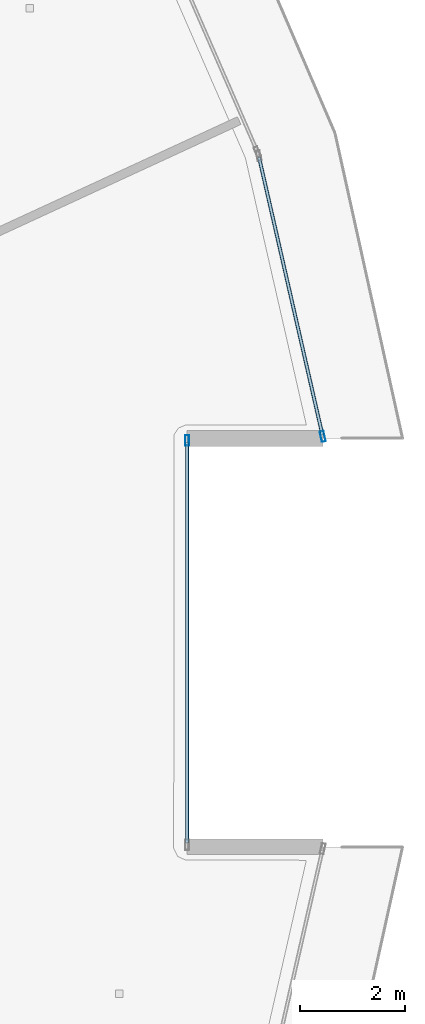
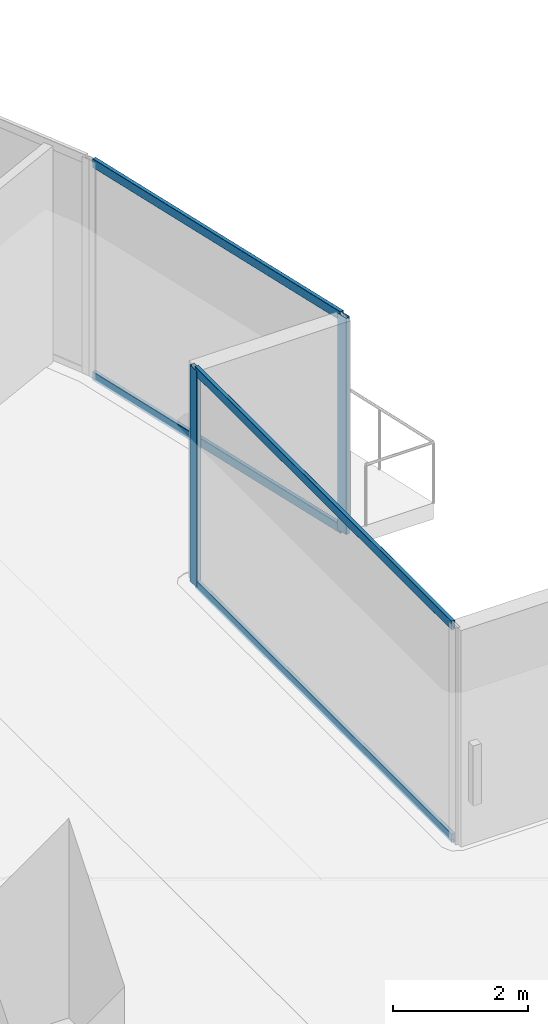
# One storey, part 10 of 31: 6 members, 2 elements without a shape of their own.
"""IFC4 building model written with IfcOpenShell, lengths in metres."""

from ifc_helpers import new_model, si_unit, direction, frame, origin, origin_2d, place, context, subcontext, project, spatial, hollow_rectangle, extrude, material, layer, layer_set, material_profile, profile_set, type_object, element, aggregate, save


model = new_model("IFC4")

# Units and contexts
model_context = context("Model", 3, precision=1e-05, world=origin(), true_north=direction((0.0, 1.0)))
body_context = subcontext(model_context, "Body", "Model", "MODEL_VIEW")
ifc_project = project(units=[si_unit("LENGTHUNIT", "METRE"), si_unit("AREAUNIT", "SQUARE_METRE"), si_unit("VOLUMEUNIT", "CUBIC_METRE"), si_unit("PLANEANGLEUNIT", "RADIAN"), si_unit("MASSUNIT", "GRAM", prefix="KILO")], contexts=[model_context])

# Site, building, storey
site_placement = place(None, origin())
site = spatial("IfcSite", under=ifc_project, at=site_placement, CompositionType="ELEMENT")
building_placement = place(site_placement, origin())
building = spatial("IfcBuilding", under=site, at=building_placement, Name="Qorvath Tower", CompositionType="ELEMENT")
storey_placement = place(building_placement, frame((0.0, 0.0, 259.800048828125)))
storey = spatial("IfcBuildingStorey", under=building, at=storey_placement, Name="L60", CompositionType="ELEMENT", Elevation=259.800048828125)

# Curtain wall, member
ifc_material_1 = material(Name="Anodised aluminium and triple low-E glass", Category="aluminium")
ifc_layer = layer(ifc_material_1, 0.179931640625)
ifc_layer_set = layer_set([ifc_layer], Name="CW-SYS-4")
curtain_wall_type = type_object("IfcCurtainWallType", Name="CW-SYS-4", PredefinedType="NOTDEFINED", material=ifc_layer_set)
curtain_wall_1_placement = place(storey_placement, origin())
curtain_wall_1 = element("IfcCurtainWall", 1, at=curtain_wall_1_placement, inside=storey, type_object=curtain_wall_type, Name="Curtain Wall CW-4 CW-T-L60-9.1", PredefinedType="NOTDEFINED")
ifc_material_2 = material(Name="Anodised aluminium 6063-T6", Category="aluminium")
ifc_material_profile_1 = material_profile(ifc_material_2, hollow_rectangle(XDim=0.074951171875, YDim=0.199951171875, WallThickness=0.00390625, InnerFilletRadius=0.00390625, OuterFilletRadius=0.008056640625, at=origin_2d()), Name="CWM 200x75")
ifc_profile_set_1 = profile_set([ifc_material_profile_1], Name="Anodised aluminium 6063-T6")
member_type_1 = type_object("IfcMemberType", Name="CWM-200", PredefinedType="MULLION", material=ifc_profile_set_1)
member_1_placement = place(storey_placement, frame((-4.0478515625, 3.834228515625, 0.0), z_axis=(0.0, 0.0, 1.0), x_axis=(-1.0, 0.0, 0.0)))
member_1 = element("IfcMember", 2, at=member_1_placement, type_object=member_type_1, Name="CW-4 mullion 2", PredefinedType="MULLION", context=body_context, shape_type="SweptSolid", body=[
    extrude(hollow_rectangle(XDim=0.074951171875, YDim=0.199951171875, WallThickness=0.00390625, InnerFilletRadius=0.00390625, OuterFilletRadius=0.008056640625, at=origin_2d()), origin(), (0.0, 0.0, 1.0), 3.909912109375),
])

curtain_wall_2_placement = place(storey_placement, origin())
curtain_wall_2 = element("IfcCurtainWall", 3, at=curtain_wall_2_placement, inside=storey, type_object=curtain_wall_type, Name="Curtain Wall CW-4 CW-T-L60-11.1", PredefinedType="NOTDEFINED")
member_2_placement = place(storey_placement, frame((-1.47509765625, 3.908447265625, 0.0), z_axis=(0.0, 0.0, 1.0), x_axis=(-0.97494194825, -0.22245942898, 0.0)))
member_2 = element("IfcMember", 4, at=member_2_placement, type_object=member_type_1, Name="CW-4 mullion 1", PredefinedType="MULLION", context=body_context, shape_type="SweptSolid", body=[
    extrude(hollow_rectangle(XDim=0.074951171875, YDim=0.199951171875, WallThickness=0.00390625, InnerFilletRadius=0.00390625, OuterFilletRadius=0.008056640625, at=origin_2d()), origin(), (0.0, 0.0, 1.0), 3.909912109375),
])

# Member
ifc_material_3 = material(Name="Anodised aluminium 6063-T6", Category="aluminium")
ifc_material_profile_2 = material_profile(ifc_material_3, hollow_rectangle(XDim=0.06494140625, YDim=0.159912109375, WallThickness=0.00341796875, InnerFilletRadius=0.00341796875, OuterFilletRadius=0.007080078125, at=origin_2d()), Name="CWT 160x65")
ifc_profile_set_2 = profile_set([ifc_material_profile_2], Name="Anodised aluminium 6063-T6")
member_type_2 = type_object("IfcMemberType", Name="CWT-160", PredefinedType="USERDEFINED", material=ifc_profile_set_2)
member_3_placement = place(storey_placement, frame((-4.0478515625, -3.796875, 0.032470703125), z_axis=(0.0, 1.0, 0.0), x_axis=(-1.0, 0.0, 0.0)))
member_3 = element("IfcMember", 5, at=member_3_placement, type_object=member_type_2, Name="CW-4 transom 1.1", ObjectType="TRANSOM", PredefinedType="USERDEFINED", context=body_context, shape_type="SweptSolid", body=[
    extrude(hollow_rectangle(XDim=0.06494140625, YDim=0.159912109375, WallThickness=0.00341796875, InnerFilletRadius=0.00341796875, OuterFilletRadius=0.007080078125, at=origin_2d()), origin(), (0.0, 0.0, 1.0), 7.59375),
])

member_4_placement = place(storey_placement, frame((-4.0478515625, -3.796875, 3.87744140625), z_axis=(0.0, 1.0, 0.0), x_axis=(-1.0, 0.0, 0.0)))
member_4 = element("IfcMember", 6, at=member_4_placement, type_object=member_type_2, Name="CW-4 transom 1.2", ObjectType="TRANSOM", PredefinedType="USERDEFINED", context=body_context, shape_type="SweptSolid", body=[
    extrude(hollow_rectangle(XDim=0.06494140625, YDim=0.159912109375, WallThickness=0.00341796875, InnerFilletRadius=0.00341796875, OuterFilletRadius=0.007080078125, at=origin_2d()), origin(), (0.0, 0.0, 1.0), 7.59375),
])

aggregate(curtain_wall_1, [member_1, member_3, member_4])

member_5_placement = place(storey_placement, frame((-1.4833984375, 3.94482421875, 0.032470703125), z_axis=(-0.222478993506, 0.974937483867, 0.0), x_axis=(-0.974937483867, -0.222478993506, 0.0)))
member_5 = element("IfcMember", 7, at=member_5_placement, type_object=member_type_2, Name="CW-4 transom 1.1", ObjectType="TRANSOM", PredefinedType="USERDEFINED", context=body_context, shape_type="SweptSolid", body=[
    extrude(hollow_rectangle(XDim=0.06494140625, YDim=0.159912109375, WallThickness=0.00341796875, InnerFilletRadius=0.00341796875, OuterFilletRadius=0.007080078125, at=origin_2d()), origin(), (0.0, 0.0, 1.0), 5.386962890625),
])

member_6_placement = place(storey_placement, frame((-1.4833984375, 3.94482421875, 3.87744140625), z_axis=(-0.222478993506, 0.974937483867, 0.0), x_axis=(-0.974937483867, -0.222478993506, 0.0)))
member_6 = element("IfcMember", 8, at=member_6_placement, type_object=member_type_2, Name="CW-4 transom 1.2", ObjectType="TRANSOM", PredefinedType="USERDEFINED", context=body_context, shape_type="SweptSolid", body=[
    extrude(hollow_rectangle(XDim=0.06494140625, YDim=0.159912109375, WallThickness=0.00341796875, InnerFilletRadius=0.00341796875, OuterFilletRadius=0.007080078125, at=origin_2d()), origin(), (0.0, 0.0, 1.0), 5.386962890625),
])

aggregate(curtain_wall_2, [member_2, member_5, member_6])

save(model, "model.ifc")
